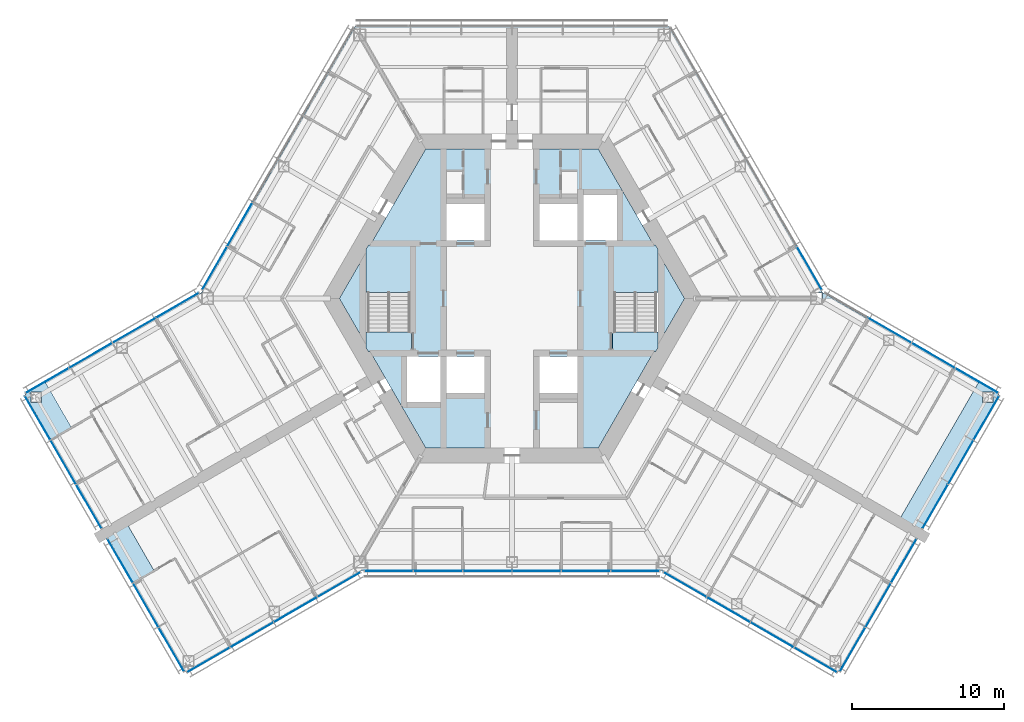
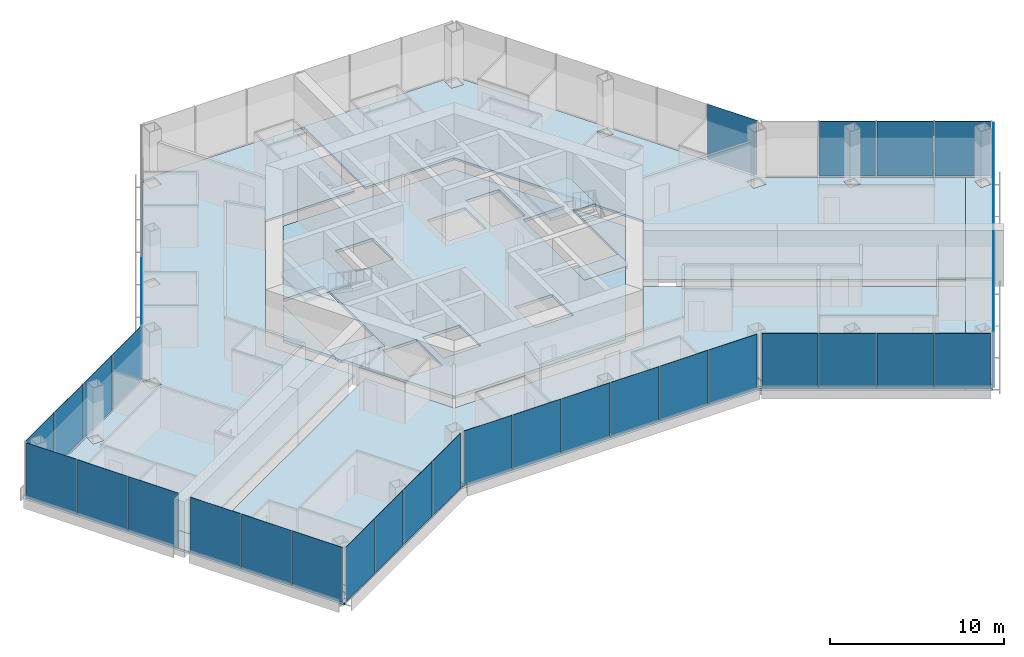
# One storey, part 10 of 19: 36 plates, 11 slabs, 13 elements without a shape of their own.
"""IFC4 building model written with IfcOpenShell, lengths in metres."""

from ifc_helpers import new_model, si_unit, direction, frame, origin, origin_2d, place, context, subcontext, project, spatial, polyline, rectangle, outline, extrude, material, layer, layer_set, type_object, element, aggregate, save


model = new_model("IFC4")

# Units and contexts
model_context = context("Model", 3, precision=1e-05, world=origin(), true_north=direction((0.0, 1.0)))
body_context = subcontext(model_context, "Body", "Model", "MODEL_VIEW")
ifc_project = project(units=[si_unit("LENGTHUNIT", "METRE"), si_unit("AREAUNIT", "SQUARE_METRE"), si_unit("VOLUMEUNIT", "CUBIC_METRE"), si_unit("PLANEANGLEUNIT", "RADIAN"), si_unit("MASSUNIT", "GRAM", prefix="KILO")], contexts=[model_context])

# Site, building, storey
site_placement = place(None, origin())
site = spatial("IfcSite", under=ifc_project, at=site_placement, CompositionType="ELEMENT")
building_placement = place(site_placement, origin())
building = spatial("IfcBuilding", under=site, at=building_placement, Name="Kasaneha Research Tower", CompositionType="ELEMENT")
storey_placement = place(building_placement, frame((0.0, 0.0, 160.39990234375)))
storey = spatial("IfcBuildingStorey", under=building, at=storey_placement, Name="L40", CompositionType="ELEMENT", Elevation=160.39990234375)

# Curtain wall, plates
ifc_material_1 = material(Name="Glass and aluminium", Category="aluminium")
curtain_wall_type = type_object("IfcCurtainWallType", Name="Mid-rise office curtain wall", PredefinedType="USERDEFINED", material=ifc_material_1)
curtain_wall_1_placement = place(storey_placement, origin())
curtain_wall_1 = element("IfcCurtainWall", 1, at=curtain_wall_1_placement, inside=storey, type_object=curtain_wall_type, Name="CW-O2 L40 run 01a", ObjectType="UNITISED CURTAIN WALL", PredefinedType="USERDEFINED")
ifc_material_2 = material(Name="Laminated double glazing", Category="glass")
ifc_layer_1 = layer(ifc_material_2, 0.02587890625)
ifc_layer_set_1 = layer_set([ifc_layer_1], Name="CW-O2 glazed panel")
plate_type = type_object("IfcPlateType", Name="CW-O2 glazed panel", PredefinedType="CURTAIN_PANEL", material=ifc_layer_set_1)
plate_1_placement = place(storey_placement, frame((-8.10107421875, -17.92041015625, 0.06005859375), z_axis=(0.0, 0.0, 1.0), x_axis=(1.0, 0.0, 0.0)))
plate_1 = element("IfcPlate", 2, at=plate_1_placement, type_object=plate_type, Name="CW-O2 panel 1", PredefinedType="CURTAIN_PANEL", context=body_context, shape_type="SweptSolid", body=[
    extrude(rectangle(XDim=3.156494140625, YDim=0.02587890625, at=origin_2d()), origin(), (0.0, 0.0, 1.0), 3.840087890625),
])
plate_2_placement = place(storey_placement, frame((-4.86962890625, -17.92041015625, 0.06005859375), z_axis=(0.0, 0.0, 1.0), x_axis=(1.0, 0.0, 0.0)))
plate_2 = element("IfcPlate", 3, at=plate_2_placement, type_object=plate_type, Name="CW-O2 panel 2", PredefinedType="CURTAIN_PANEL", context=body_context, shape_type="SweptSolid", body=[
    extrude(rectangle(XDim=3.1865234375, YDim=0.02587890625, at=origin_2d()), origin(), (0.0, 0.0, 1.0), 3.840087890625),
])
plate_3_placement = place(storey_placement, frame((-1.623291015625, -17.92041015625, 0.06005859375), z_axis=(0.0, 0.0, 1.0), x_axis=(1.0, 0.0, 0.0)))
plate_3 = element("IfcPlate", 4, at=plate_3_placement, type_object=plate_type, Name="CW-O2 panel 3", PredefinedType="CURTAIN_PANEL", context=body_context, shape_type="SweptSolid", body=[
    extrude(rectangle(XDim=3.1865234375, YDim=0.02587890625, at=origin_2d()), origin(), (0.0, 0.0, 1.0), 3.840087890625),
])
plate_4_placement = place(storey_placement, frame((1.623291015625, -17.92041015625, 0.06005859375), z_axis=(0.0, 0.0, 1.0), x_axis=(1.0, 0.0, 0.0)))
plate_4 = element("IfcPlate", 5, at=plate_4_placement, type_object=plate_type, Name="CW-O2 panel 4", PredefinedType="CURTAIN_PANEL", context=body_context, shape_type="SweptSolid", body=[
    extrude(rectangle(XDim=3.1865234375, YDim=0.02587890625, at=origin_2d()), origin(), (0.0, 0.0, 1.0), 3.840087890625),
])
plate_5_placement = place(storey_placement, frame((4.86962890625, -17.92041015625, 0.06005859375), z_axis=(0.0, 0.0, 1.0), x_axis=(1.0, 0.0, 0.0)))
plate_5 = element("IfcPlate", 6, at=plate_5_placement, type_object=plate_type, Name="CW-O2 panel 5", PredefinedType="CURTAIN_PANEL", context=body_context, shape_type="SweptSolid", body=[
    extrude(rectangle(XDim=3.1865234375, YDim=0.02587890625, at=origin_2d()), origin(), (0.0, 0.0, 1.0), 3.840087890625),
])
plate_6_placement = place(storey_placement, frame((8.10107421875, -17.92041015625, 0.06005859375), z_axis=(0.0, 0.0, 1.0), x_axis=(1.0, 0.0, 0.0)))
plate_6 = element("IfcPlate", 7, at=plate_6_placement, type_object=plate_type, Name="CW-O2 panel 6", PredefinedType="CURTAIN_PANEL", context=body_context, shape_type="SweptSolid", body=[
    extrude(rectangle(XDim=3.156494140625, YDim=0.02587890625, at=origin_2d()), origin(), (0.0, 0.0, 1.0), 3.840087890625),
])
aggregate(curtain_wall_1, [plate_1, plate_2, plate_3, plate_4, plate_5, plate_6])

curtain_wall_2_placement = place(storey_placement, origin())
curtain_wall_2 = element("IfcCurtainWall", 8, at=curtain_wall_2_placement, inside=storey, type_object=curtain_wall_type, Name="CW-O2 L40 run 02a", ObjectType="UNITISED CURTAIN WALL", PredefinedType="USERDEFINED")
plate_7_placement = place(storey_placement, frame((11.3720703125, -18.805419921875, 0.06005859375), z_axis=(0.0, 0.0, 1.0), x_axis=(0.866025411464, -0.499999986699, 0.0)))
plate_7 = element("IfcPlate", 9, at=plate_7_placement, type_object=plate_type, Name="CW-O2 panel 1", PredefinedType="CURTAIN_PANEL", context=body_context, shape_type="SweptSolid", body=[
    extrude(rectangle(XDim=3.2197265625, YDim=0.02587890625, at=origin_2d()), origin(), (0.0, 0.0, 1.0), 3.840087890625),
])
plate_8_placement = place(storey_placement, frame((14.225341796875, -20.452880859375, 0.06005859375), z_axis=(0.0, 0.0, 1.0), x_axis=(0.866025411464, -0.499999986699, 0.0)))
plate_8 = element("IfcPlate", 10, at=plate_8_placement, type_object=plate_type, Name="CW-O2 panel 2", PredefinedType="CURTAIN_PANEL", context=body_context, shape_type="SweptSolid", body=[
    extrude(rectangle(XDim=3.249755859375, YDim=0.02587890625, at=origin_2d()), origin(), (0.0, 0.0, 1.0), 3.840087890625),
])
plate_9_placement = place(storey_placement, frame((17.091796875, -22.107666015625, 0.06005859375), z_axis=(0.0, 0.0, 1.0), x_axis=(0.866025411464, -0.499999986699, 0.0)))
plate_9 = element("IfcPlate", 11, at=plate_9_placement, type_object=plate_type, Name="CW-O2 panel 3", PredefinedType="CURTAIN_PANEL", context=body_context, shape_type="SweptSolid", body=[
    extrude(rectangle(XDim=3.249755859375, YDim=0.02587890625, at=origin_2d()), origin(), (0.0, 0.0, 1.0), 3.840087890625),
])
plate_10_placement = place(storey_placement, frame((19.945068359375, -23.755126953125, 0.06005859375), z_axis=(0.0, 0.0, 1.0), x_axis=(0.866025411464, -0.499999986699, 0.0)))
plate_10 = element("IfcPlate", 12, at=plate_10_placement, type_object=plate_type, Name="CW-O2 panel 4", PredefinedType="CURTAIN_PANEL", context=body_context, shape_type="SweptSolid", body=[
    extrude(rectangle(XDim=3.2197265625, YDim=0.02587890625, at=origin_2d()), origin(), (0.0, 0.0, 1.0), 3.840087890625),
])
aggregate(curtain_wall_2, [plate_7, plate_8, plate_9, plate_10])

curtain_wall_3_placement = place(storey_placement, origin())
curtain_wall_3 = element("IfcCurtainWall", 13, at=curtain_wall_3_placement, inside=storey, type_object=curtain_wall_type, Name="CW-O2 L40 run 03a", ObjectType="UNITISED CURTAIN WALL", PredefinedType="USERDEFINED")
plate_11_placement = place(storey_placement, frame((22.38134765625, -23.075439453125, 0.06005859375), z_axis=(0.0, 0.0, 1.0), x_axis=(0.500000011442, 0.866025397178, 0.0)))
plate_11 = element("IfcPlate", 14, at=plate_11_placement, type_object=plate_type, Name="CW-O2 panel 1", PredefinedType="CURTAIN_PANEL", context=body_context, shape_type="SweptSolid", body=[
    extrude(rectangle(XDim=3.293212890625, YDim=0.02587890625, at=origin_2d()), origin(), (0.0, 0.0, 1.0), 3.840087890625),
])
plate_12_placement = place(storey_placement, frame((24.0654296875, -20.158447265625, 0.06005859375), z_axis=(0.0, 0.0, 1.0), x_axis=(0.500000011442, 0.866025397178, 0.0)))
plate_12 = element("IfcPlate", 15, at=plate_12_placement, type_object=plate_type, Name="CW-O2 panel 2", PredefinedType="CURTAIN_PANEL", context=body_context, shape_type="SweptSolid", body=[
    extrude(rectangle(XDim=3.3232421875, YDim=0.02587890625, at=origin_2d()), origin(), (0.0, 0.0, 1.0), 3.840087890625),
])
plate_13_placement = place(storey_placement, frame((25.74951171875, -17.241455078125, 0.06005859375), z_axis=(0.0, 0.0, 1.0), x_axis=(0.500000011442, 0.866025397178, 0.0)))
plate_13 = element("IfcPlate", 16, at=plate_13_placement, type_object=plate_type, Name="CW-O2 panel 3", PredefinedType="CURTAIN_PANEL", context=body_context, shape_type="SweptSolid", body=[
    extrude(rectangle(XDim=3.293212890625, YDim=0.02587890625, at=origin_2d()), origin(), (0.0, 0.0, 1.0), 3.840087890625),
])
aggregate(curtain_wall_3, [plate_11, plate_12, plate_13])

curtain_wall_4_placement = place(storey_placement, origin())
curtain_wall_4 = element("IfcCurtainWall", 17, at=curtain_wall_4_placement, inside=storey, type_object=curtain_wall_type, Name="CW-O2 L40 run 04a", ObjectType="UNITISED CURTAIN WALL", PredefinedType="USERDEFINED")
plate_14_placement = place(storey_placement, frame((27.806396484375, -13.67919921875, 0.06005859375), z_axis=(0.0, 0.0, 1.0), x_axis=(0.500000011442, 0.866025397178, 0.0)))
plate_14 = element("IfcPlate", 18, at=plate_14_placement, type_object=plate_type, Name="CW-O2 panel 1", PredefinedType="CURTAIN_PANEL", context=body_context, shape_type="SweptSolid", body=[
    extrude(rectangle(XDim=3.293212890625, YDim=0.02587890625, at=origin_2d()), origin(), (0.0, 0.0, 1.0), 3.840087890625),
])
plate_15_placement = place(storey_placement, frame((29.490478515625, -10.761962890625, 0.06005859375), z_axis=(0.0, 0.0, 1.0), x_axis=(0.500000011442, 0.866025397178, 0.0)))
plate_15 = element("IfcPlate", 19, at=plate_15_placement, type_object=plate_type, Name="CW-O2 panel 2", PredefinedType="CURTAIN_PANEL", context=body_context, shape_type="SweptSolid", body=[
    extrude(rectangle(XDim=3.3232421875, YDim=0.02587890625, at=origin_2d()), origin(), (0.0, 0.0, 1.0), 3.840087890625),
])
plate_16_placement = place(storey_placement, frame((31.174560546875, -7.844970703125, 0.06005859375), z_axis=(0.0, 0.0, 1.0), x_axis=(0.500000011442, 0.866025397178, 0.0)))
plate_16 = element("IfcPlate", 20, at=plate_16_placement, type_object=plate_type, Name="CW-O2 panel 3", PredefinedType="CURTAIN_PANEL", context=body_context, shape_type="SweptSolid", body=[
    extrude(rectangle(XDim=3.293212890625, YDim=0.02587890625, at=origin_2d()), origin(), (0.0, 0.0, 1.0), 3.840087890625),
])
aggregate(curtain_wall_4, [plate_14, plate_15, plate_16])

curtain_wall_5_placement = place(storey_placement, origin())
curtain_wall_5 = element("IfcCurtainWall", 21, at=curtain_wall_5_placement, inside=storey, type_object=curtain_wall_type, Name="CW-O2 L40 run 05a", ObjectType="UNITISED CURTAIN WALL", PredefinedType="USERDEFINED")
plate_17_placement = place(storey_placement, frame((30.545166015625, -5.3955078125, 0.06005859375), z_axis=(0.0, 0.0, 1.0), x_axis=(-0.866025411464, 0.499999986699, 0.0)))
plate_17 = element("IfcPlate", 22, at=plate_17_placement, type_object=plate_type, Name="CW-O2 panel 1", PredefinedType="CURTAIN_PANEL", context=body_context, shape_type="SweptSolid", body=[
    extrude(rectangle(XDim=3.2197265625, YDim=0.02587890625, at=origin_2d()), origin(), (0.0, 0.0, 1.0), 3.840087890625),
])
plate_18_placement = place(storey_placement, frame((27.69189453125, -3.748046875, 0.06005859375), z_axis=(0.0, 0.0, 1.0), x_axis=(-0.866025411464, 0.499999986699, 0.0)))
plate_18 = element("IfcPlate", 23, at=plate_18_placement, type_object=plate_type, Name="CW-O2 panel 2", PredefinedType="CURTAIN_PANEL", context=body_context, shape_type="SweptSolid", body=[
    extrude(rectangle(XDim=3.249755859375, YDim=0.02587890625, at=origin_2d()), origin(), (0.0, 0.0, 1.0), 3.840087890625),
])
plate_19_placement = place(storey_placement, frame((24.825439453125, -2.093017578125, 0.06005859375), z_axis=(0.0, 0.0, 1.0), x_axis=(-0.866025411464, 0.499999986699, 0.0)))
plate_19 = element("IfcPlate", 24, at=plate_19_placement, type_object=plate_type, Name="CW-O2 panel 3", PredefinedType="CURTAIN_PANEL", context=body_context, shape_type="SweptSolid", body=[
    extrude(rectangle(XDim=3.249755859375, YDim=0.02587890625, at=origin_2d()), origin(), (0.0, 0.0, 1.0), 3.840087890625),
])
aggregate(curtain_wall_5, [plate_17, plate_18, plate_19])

# Curtain wall, plate
curtain_wall_6_placement = place(storey_placement, origin())
curtain_wall_6 = element("IfcCurtainWall", 25, at=curtain_wall_6_placement, inside=storey, type_object=curtain_wall_type, Name="CW-O2 L40 run 06a", ObjectType="UNITISED CURTAIN WALL", PredefinedType="USERDEFINED")
plate_20_placement = place(storey_placement, frame((19.549072265625, 1.981201171875, 0.06005859375), z_axis=(0.0, 0.0, 1.0), x_axis=(-0.499999979232, 0.866025415775, 0.0)))
plate_20 = element("IfcPlate", 26, at=plate_20_placement, type_object=plate_type, Name="CW-O2 panel 1", PredefinedType="CURTAIN_PANEL", context=body_context, shape_type="SweptSolid", body=[
    extrude(rectangle(XDim=3.240966796875, YDim=0.02587890625, at=origin_2d()), origin(), (0.0, 0.0, 1.0), 3.840087890625),
])
aggregate(curtain_wall_6, [plate_20])

# Curtain wall, plates
curtain_wall_7_placement = place(storey_placement, origin())
curtain_wall_7 = element("IfcCurtainWall", 27, at=curtain_wall_7_placement, inside=storey, type_object=curtain_wall_type, Name="CW-O2 L40 run 08a", ObjectType="UNITISED CURTAIN WALL", PredefinedType="USERDEFINED")
plate_21_placement = place(storey_placement, frame((-17.89111328125, 4.852783203125, 0.06005859375), z_axis=(0.0, 0.0, 1.0), x_axis=(-0.499999979232, -0.866025415775, 0.0)))
plate_21 = element("IfcPlate", 28, at=plate_21_placement, type_object=plate_type, Name="CW-O2 panel 5", PredefinedType="CURTAIN_PANEL", context=body_context, shape_type="SweptSolid", body=[
    extrude(rectangle(XDim=3.27099609375, YDim=0.02587890625, at=origin_2d()), origin(), (0.0, 0.0, 1.0), 3.840087890625),
])
plate_22_placement = place(storey_placement, frame((-19.549072265625, 1.981201171875, 0.06005859375), z_axis=(0.0, 0.0, 1.0), x_axis=(-0.499999979232, -0.866025415775, 0.0)))
plate_22 = element("IfcPlate", 29, at=plate_22_placement, type_object=plate_type, Name="CW-O2 panel 6", PredefinedType="CURTAIN_PANEL", context=body_context, shape_type="SweptSolid", body=[
    extrude(rectangle(XDim=3.240966796875, YDim=0.02587890625, at=origin_2d()), origin(), (0.0, 0.0, 1.0), 3.840087890625),
])
aggregate(curtain_wall_7, [plate_21, plate_22])

curtain_wall_8_placement = place(storey_placement, origin())
curtain_wall_8 = element("IfcCurtainWall", 30, at=curtain_wall_8_placement, inside=storey, type_object=curtain_wall_type, Name="CW-O2 L40 run 09a", ObjectType="UNITISED CURTAIN WALL", PredefinedType="USERDEFINED")
plate_23_placement = place(storey_placement, frame((-21.971923828125, -0.44580078125, 0.06005859375), z_axis=(0.0, 0.0, 1.0), x_axis=(-0.866025411464, -0.499999986699, 0.0)))
plate_23 = element("IfcPlate", 31, at=plate_23_placement, type_object=plate_type, Name="CW-O2 panel 1", PredefinedType="CURTAIN_PANEL", context=body_context, shape_type="SweptSolid", body=[
    extrude(rectangle(XDim=3.2197265625, YDim=0.02587890625, at=origin_2d()), origin(), (0.0, 0.0, 1.0), 3.840087890625),
])
plate_24_placement = place(storey_placement, frame((-24.825439453125, -2.093017578125, 0.06005859375), z_axis=(0.0, 0.0, 1.0), x_axis=(-0.866025411464, -0.499999986699, 0.0)))
plate_24 = element("IfcPlate", 32, at=plate_24_placement, type_object=plate_type, Name="CW-O2 panel 2", PredefinedType="CURTAIN_PANEL", context=body_context, shape_type="SweptSolid", body=[
    extrude(rectangle(XDim=3.249755859375, YDim=0.02587890625, at=origin_2d()), origin(), (0.0, 0.0, 1.0), 3.840087890625),
])
plate_25_placement = place(storey_placement, frame((-27.69189453125, -3.748046875, 0.06005859375), z_axis=(0.0, 0.0, 1.0), x_axis=(-0.866025411464, -0.499999986699, 0.0)))
plate_25 = element("IfcPlate", 33, at=plate_25_placement, type_object=plate_type, Name="CW-O2 panel 3", PredefinedType="CURTAIN_PANEL", context=body_context, shape_type="SweptSolid", body=[
    extrude(rectangle(XDim=3.249755859375, YDim=0.02587890625, at=origin_2d()), origin(), (0.0, 0.0, 1.0), 3.840087890625),
])
plate_26_placement = place(storey_placement, frame((-30.545166015625, -5.3955078125, 0.06005859375), z_axis=(0.0, 0.0, 1.0), x_axis=(-0.866025411464, -0.499999986699, 0.0)))
plate_26 = element("IfcPlate", 34, at=plate_26_placement, type_object=plate_type, Name="CW-O2 panel 4", PredefinedType="CURTAIN_PANEL", context=body_context, shape_type="SweptSolid", body=[
    extrude(rectangle(XDim=3.2197265625, YDim=0.02587890625, at=origin_2d()), origin(), (0.0, 0.0, 1.0), 3.840087890625),
])
aggregate(curtain_wall_8, [plate_23, plate_24, plate_25, plate_26])

curtain_wall_9_placement = place(storey_placement, origin())
curtain_wall_9 = element("IfcCurtainWall", 35, at=curtain_wall_9_placement, inside=storey, type_object=curtain_wall_type, Name="CW-O2 L40 run 10a", ObjectType="UNITISED CURTAIN WALL", PredefinedType="USERDEFINED")
plate_27_placement = place(storey_placement, frame((-31.174560546875, -7.844970703125, 0.06005859375), z_axis=(0.0, 0.0, 1.0), x_axis=(0.500000011442, -0.866025397178, 0.0)))
plate_27 = element("IfcPlate", 36, at=plate_27_placement, type_object=plate_type, Name="CW-O2 panel 1", PredefinedType="CURTAIN_PANEL", context=body_context, shape_type="SweptSolid", body=[
    extrude(rectangle(XDim=3.293212890625, YDim=0.02587890625, at=origin_2d()), origin(), (0.0, 0.0, 1.0), 3.840087890625),
])
plate_28_placement = place(storey_placement, frame((-29.490478515625, -10.761962890625, 0.06005859375), z_axis=(0.0, 0.0, 1.0), x_axis=(0.500000011442, -0.866025397178, 0.0)))
plate_28 = element("IfcPlate", 37, at=plate_28_placement, type_object=plate_type, Name="CW-O2 panel 2", PredefinedType="CURTAIN_PANEL", context=body_context, shape_type="SweptSolid", body=[
    extrude(rectangle(XDim=3.3232421875, YDim=0.02587890625, at=origin_2d()), origin(), (0.0, 0.0, 1.0), 3.840087890625),
])
plate_29_placement = place(storey_placement, frame((-27.806396484375, -13.67919921875, 0.06005859375), z_axis=(0.0, 0.0, 1.0), x_axis=(0.500000011442, -0.866025397178, 0.0)))
plate_29 = element("IfcPlate", 38, at=plate_29_placement, type_object=plate_type, Name="CW-O2 panel 3", PredefinedType="CURTAIN_PANEL", context=body_context, shape_type="SweptSolid", body=[
    extrude(rectangle(XDim=3.293212890625, YDim=0.02587890625, at=origin_2d()), origin(), (0.0, 0.0, 1.0), 3.840087890625),
])
aggregate(curtain_wall_9, [plate_27, plate_28, plate_29])

curtain_wall_10_placement = place(storey_placement, origin())
curtain_wall_10 = element("IfcCurtainWall", 39, at=curtain_wall_10_placement, inside=storey, type_object=curtain_wall_type, Name="CW-O2 L40 run 11a", ObjectType="UNITISED CURTAIN WALL", PredefinedType="USERDEFINED")
plate_30_placement = place(storey_placement, frame((-25.74951171875, -17.241455078125, 0.06005859375), z_axis=(0.0, 0.0, 1.0), x_axis=(0.500000011442, -0.866025397178, 0.0)))
plate_30 = element("IfcPlate", 40, at=plate_30_placement, type_object=plate_type, Name="CW-O2 panel 1", PredefinedType="CURTAIN_PANEL", context=body_context, shape_type="SweptSolid", body=[
    extrude(rectangle(XDim=3.293212890625, YDim=0.02587890625, at=origin_2d()), origin(), (0.0, 0.0, 1.0), 3.840087890625),
])
plate_31_placement = place(storey_placement, frame((-24.0654296875, -20.158447265625, 0.06005859375), z_axis=(0.0, 0.0, 1.0), x_axis=(0.500000011442, -0.866025397178, 0.0)))
plate_31 = element("IfcPlate", 41, at=plate_31_placement, type_object=plate_type, Name="CW-O2 panel 2", PredefinedType="CURTAIN_PANEL", context=body_context, shape_type="SweptSolid", body=[
    extrude(rectangle(XDim=3.3232421875, YDim=0.02587890625, at=origin_2d()), origin(), (0.0, 0.0, 1.0), 3.840087890625),
])
plate_32_placement = place(storey_placement, frame((-22.38134765625, -23.075439453125, 0.06005859375), z_axis=(0.0, 0.0, 1.0), x_axis=(0.500000011442, -0.866025397178, 0.0)))
plate_32 = element("IfcPlate", 42, at=plate_32_placement, type_object=plate_type, Name="CW-O2 panel 3", PredefinedType="CURTAIN_PANEL", context=body_context, shape_type="SweptSolid", body=[
    extrude(rectangle(XDim=3.293212890625, YDim=0.02587890625, at=origin_2d()), origin(), (0.0, 0.0, 1.0), 3.840087890625),
])
aggregate(curtain_wall_10, [plate_30, plate_31, plate_32])

curtain_wall_11_placement = place(storey_placement, origin())
curtain_wall_11 = element("IfcCurtainWall", 43, at=curtain_wall_11_placement, inside=storey, type_object=curtain_wall_type, Name="CW-O2 L40 run 12a", ObjectType="UNITISED CURTAIN WALL", PredefinedType="USERDEFINED")
plate_33_placement = place(storey_placement, frame((-19.945068359375, -23.755126953125, 0.06005859375), z_axis=(0.0, 0.0, 1.0), x_axis=(0.866025411464, 0.499999986699, 0.0)))
plate_33 = element("IfcPlate", 44, at=plate_33_placement, type_object=plate_type, Name="CW-O2 panel 1", PredefinedType="CURTAIN_PANEL", context=body_context, shape_type="SweptSolid", body=[
    extrude(rectangle(XDim=3.2197265625, YDim=0.02587890625, at=origin_2d()), origin(), (0.0, 0.0, 1.0), 3.840087890625),
])
plate_34_placement = place(storey_placement, frame((-17.091796875, -22.107666015625, 0.06005859375), z_axis=(0.0, 0.0, 1.0), x_axis=(0.866025411464, 0.499999986699, 0.0)))
plate_34 = element("IfcPlate", 45, at=plate_34_placement, type_object=plate_type, Name="CW-O2 panel 2", PredefinedType="CURTAIN_PANEL", context=body_context, shape_type="SweptSolid", body=[
    extrude(rectangle(XDim=3.249755859375, YDim=0.02587890625, at=origin_2d()), origin(), (0.0, 0.0, 1.0), 3.840087890625),
])
plate_35_placement = place(storey_placement, frame((-14.225341796875, -20.452880859375, 0.06005859375), z_axis=(0.0, 0.0, 1.0), x_axis=(0.866025411464, 0.499999986699, 0.0)))
plate_35 = element("IfcPlate", 46, at=plate_35_placement, type_object=plate_type, Name="CW-O2 panel 3", PredefinedType="CURTAIN_PANEL", context=body_context, shape_type="SweptSolid", body=[
    extrude(rectangle(XDim=3.249755859375, YDim=0.02587890625, at=origin_2d()), origin(), (0.0, 0.0, 1.0), 3.840087890625),
])
plate_36_placement = place(storey_placement, frame((-11.3720703125, -18.805419921875, 0.06005859375), z_axis=(0.0, 0.0, 1.0), x_axis=(0.866025411464, 0.499999986699, 0.0)))
plate_36 = element("IfcPlate", 47, at=plate_36_placement, type_object=plate_type, Name="CW-O2 panel 4", PredefinedType="CURTAIN_PANEL", context=body_context, shape_type="SweptSolid", body=[
    extrude(rectangle(XDim=3.2197265625, YDim=0.02587890625, at=origin_2d()), origin(), (0.0, 0.0, 1.0), 3.840087890625),
])
aggregate(curtain_wall_11, [plate_33, plate_34, plate_35, plate_36])

# Slabs
ifc_material_3 = material(Name="Concrete Fc24", Category="concrete")
ifc_layer_2 = layer(ifc_material_3, 0.199951171875)
ifc_layer_set_2 = layer_set([ifc_layer_2], Name="Core floor slab 200")
slab_type_1 = type_object("IfcSlabType", Name="Core floor slab 200", PredefinedType="FLOOR", material=ifc_layer_set_2)
slab_1_placement = place(storey_placement, frame((0.0, 0.0, -0.199951171875)))
element("IfcSlab", 48, at=slab_1_placement, inside=storey, type_object=slab_type_1, Name="Core slab L40", PredefinedType="FLOOR", context=body_context, shape_type="SweptSolid", body=[
    extrude(outline(polyline([(-11.344970703125, 0.0), (-9.60009765625, 3.022216796875), (-9.60009765625, -3.022216796875), (-11.344970703125, 0.0)])), origin(), (0.0, 0.0, 1.0), 0.199951171875),
])
slab_2_placement = place(storey_placement, frame((0.0, 0.0, -0.199951171875)))
element("IfcSlab", 49, at=slab_2_placement, inside=storey, type_object=slab_type_1, Name="Core slab L40", PredefinedType="FLOOR", context=body_context, shape_type="SweptSolid", body=[
    extrude(outline(polyline([(-5.67236328125, 9.824951171875), (5.67236328125, 9.824951171875), (9.32421875, 3.5), (6.60009765625, 3.5), (6.60009765625, -3.5), (9.32421875, -3.5), (5.67236328125, -9.824951171875), (-5.67236328125, -9.824951171875), (-9.32421875, -3.5), (-6.60009765625, -3.5), (-6.60009765625, 3.5), (-9.32421875, 3.5), (-5.67236328125, 9.824951171875)]), holes=[polyline([(-6.89990234375, -3.800048828125), (-6.89990234375, -6.800048828125), (-4.699951171875, -6.800048828125), (-4.699951171875, -3.800048828125), (-6.89990234375, -3.800048828125)]), polyline([(-4.300048828125, -3.800048828125), (-4.300048828125, -6.199951171875), (-1.800048828125, -6.199951171875), (-1.800048828125, -3.800048828125), (-4.300048828125, -3.800048828125)]), polyline([(1.800048828125, -3.800048828125), (1.800048828125, -6.199951171875), (4.300048828125, -6.199951171875), (4.300048828125, -3.800048828125), (1.800048828125, -3.800048828125)]), polyline([(-4.300048828125, 6.199951171875), (-4.300048828125, 3.800048828125), (-1.800048828125, 3.800048828125), (-1.800048828125, 6.199951171875), (-4.300048828125, 6.199951171875)]), polyline([(1.800048828125, 6.199951171875), (1.800048828125, 3.800048828125), (4.300048828125, 3.800048828125), (4.300048828125, 6.199951171875), (1.800048828125, 6.199951171875)]), polyline([(4.699951171875, 6.800048828125), (4.699951171875, 3.800048828125), (6.89990234375, 3.800048828125), (6.89990234375, 6.800048828125), (4.699951171875, 6.800048828125)])]), origin(), (0.0, 0.0, 1.0), 0.199951171875),
])
slab_3_placement = place(storey_placement, frame((0.0, 0.0, -0.199951171875)))
element("IfcSlab", 50, at=slab_3_placement, inside=storey, type_object=slab_type_1, Name="Core slab L40", PredefinedType="FLOOR", context=body_context, shape_type="SweptSolid", body=[
    extrude(outline(polyline([(11.344970703125, 0.0), (9.60009765625, -3.022216796875), (9.60009765625, 3.022216796875), (11.344970703125, 0.0)])), origin(), (0.0, 0.0, 1.0), 0.199951171875),
])
ifc_material_4 = material(Name="Concrete Fc24", Category="concrete")
ifc_layer_3 = layer(ifc_material_4, 0.14990234375)
ifc_layer_set_3 = layer_set([ifc_layer_3], Name="Floor slab 150")
slab_type_2 = type_object("IfcSlabType", Name="Floor slab 150", PredefinedType="FLOOR", material=ifc_layer_set_3)
slab_4_placement = place(storey_placement, frame((0.0, 0.0, -0.14990234375)))
element("IfcSlab", 51, at=slab_4_placement, inside=storey, type_object=slab_type_2, Name="Floor slab L40 1", PredefinedType="FLOOR", context=body_context, shape_type="SweptSolid", body=[
    extrude(outline(polyline([(-32.009521484375, -6.298583984375), (-30.65869140625, -5.518798828125), (-25.55859375, -14.35205078125), (-25.5673828125, -14.357177734375), (-25.21728515625, -14.96337890625), (-25.208740234375, -14.958251953125), (-20.108642578125, -23.791748046875), (-21.459716796875, -24.57177734375), (-32.009521484375, -6.298583984375)]), holes=[polyline([(-20.908447265625, -24.17041015625), (-20.908447265625, -23.470458984375), (-21.6083984375, -23.470458984375), (-21.6083984375, -24.17041015625), (-20.908447265625, -24.17041015625)]), polyline([(-30.908447265625, -6.85009765625), (-30.908447265625, -6.14990234375), (-31.6083984375, -6.14990234375), (-31.6083984375, -6.85009765625), (-30.908447265625, -6.85009765625)])]), origin(), (0.0, 0.0, 1.0), 0.14990234375),
])
slab_5_placement = place(storey_placement, frame((0.0, 0.0, -0.14990234375)))
element("IfcSlab", 52, at=slab_5_placement, inside=storey, type_object=slab_type_2, Name="Floor slab L40 2", PredefinedType="FLOOR", context=body_context, shape_type="SweptSolid", body=[
    extrude(outline(polyline([(9.8525390625, -17.87060546875), (-9.8525390625, -17.87060546875), (-20.108642578125, -23.791748046875), (-25.208740234375, -14.958251953125), (-9.19970703125, -5.715576171875), (-6.249755859375, -10.824951171875), (6.249755859375, -10.824951171875), (9.19970703125, -5.715576171875), (25.208740234375, -14.958251953125), (20.108642578125, -23.791748046875), (9.8525390625, -17.87060546875)]), holes=[polyline([(-15.279052734375, -20.92041015625), (-15.279052734375, -20.220458984375), (-15.979248046875, -20.220458984375), (-15.979248046875, -20.92041015625), (-15.279052734375, -20.92041015625)]), polyline([(0.35009765625, -17.67041015625), (0.35009765625, -16.970458984375), (-0.35009765625, -16.970458984375), (-0.35009765625, -17.67041015625), (0.35009765625, -17.67041015625)]), polyline([(-10.39990234375, -17.720458984375), (-9.60009765625, -17.720458984375), (-9.60009765625, -16.92041015625), (-10.39990234375, -16.92041015625), (-10.39990234375, -17.720458984375)]), polyline([(15.113037109375, -20.42041015625), (15.113037109375, -19.720458984375), (14.4130859375, -19.720458984375), (14.4130859375, -20.42041015625), (15.113037109375, -20.42041015625)]), polyline([(9.60009765625, -17.720458984375), (10.39990234375, -17.720458984375), (10.39990234375, -16.92041015625), (9.60009765625, -16.92041015625), (9.60009765625, -17.720458984375)])]), origin(), (0.0, 0.0, 1.0), 0.14990234375),
])
slab_6_placement = place(storey_placement, frame((0.0, 0.0, -0.14990234375)))
element("IfcSlab", 53, at=slab_6_placement, inside=storey, type_object=slab_type_2, Name="Floor slab L40 3", PredefinedType="FLOOR", context=body_context, shape_type="SweptSolid", body=[
    extrude(outline(polyline([(-20.400146484375, -0.400146484375), (-19.599853515625, -0.400146484375), (-19.599853515625, 0.400146484375), (-20.385986328125, 0.400146484375), (-20.3974609375, 0.41162109375), (-10.40771484375, 17.714111328125), (-10.400146484375, 17.70654296875), (-10.400146484375, 16.92041015625), (-9.599853515625, 16.92041015625), (-9.599853515625, 17.720703125), (-10.385986328125, 17.720703125), (-10.3974609375, 17.732177734375), (-10.317626953125, 17.87060546875), (10.317626953125, 17.87060546875), (10.3974609375, 17.732177734375), (10.385986328125, 17.720703125), (9.599853515625, 17.720703125), (9.599853515625, 16.92041015625), (10.400146484375, 16.92041015625), (10.400146484375, 17.70654296875), (10.40771484375, 17.714111328125), (20.3974609375, 0.41162109375), (20.385986328125, 0.400146484375), (19.599853515625, 0.400146484375), (19.599853515625, -0.400146484375), (20.400146484375, -0.400146484375), (20.400146484375, 0.385986328125), (20.41162109375, 0.3974609375), (30.65869140625, -5.518798828125), (25.55859375, -14.35205078125), (9.5498046875, -5.109375), (12.49951171875, 0.0), (6.249755859375, 10.824951171875), (0.35009765625, 10.824951171875), (0.35009765625, 17.7705078125), (-0.35009765625, 17.7705078125), (-0.35009765625, 10.824951171875), (-6.249755859375, 10.824951171875), (-12.49951171875, 0.0), (-9.5498046875, -5.109375), (-25.55859375, -14.35205078125), (-30.65869140625, -5.518798828125), (-20.41162109375, 0.3974609375), (-20.400146484375, 0.385986328125), (-20.400146484375, -0.400146484375)]), holes=[polyline([(-25.279052734375, -3.60009765625), (-25.279052734375, -2.89990234375), (-25.979248046875, -2.89990234375), (-25.979248046875, -3.60009765625), (-25.279052734375, -3.60009765625)]), polyline([(-15.35009765625, 8.310302734375), (-14.64990234375, 8.310302734375), (-14.64990234375, 9.01025390625), (-15.35009765625, 9.01025390625), (-15.35009765625, 8.310302734375)]), polyline([(24.4130859375, -3.10009765625), (25.113037109375, -3.10009765625), (25.113037109375, -2.39990234375), (24.4130859375, -2.39990234375), (24.4130859375, -3.10009765625)]), polyline([(14.64990234375, 8.310302734375), (15.35009765625, 8.310302734375), (15.35009765625, 9.01025390625), (14.64990234375, 9.01025390625), (14.64990234375, 8.310302734375)])]), origin(), (0.0, 0.0, 1.0), 0.14990234375),
])
slab_7_placement = place(storey_placement, frame((0.0, 0.0, -0.14990234375)))
element("IfcSlab", 54, at=slab_7_placement, inside=storey, type_object=slab_type_2, Name="Floor slab L40 4", PredefinedType="FLOOR", context=body_context, shape_type="SweptSolid", body=[
    extrude(outline(polyline([(32.009521484375, -6.298583984375), (21.459716796875, -24.57177734375), (20.108642578125, -23.791748046875), (25.208740234375, -14.958251953125), (25.21728515625, -14.96337890625), (25.5673828125, -14.357177734375), (25.55859375, -14.35205078125), (30.65869140625, -5.518798828125), (32.009521484375, -6.298583984375)]), holes=[polyline([(21.6083984375, -24.17041015625), (21.6083984375, -23.470458984375), (20.908447265625, -23.470458984375), (20.908447265625, -24.17041015625), (21.6083984375, -24.17041015625)]), polyline([(31.6083984375, -6.85009765625), (31.6083984375, -6.14990234375), (30.908447265625, -6.14990234375), (30.908447265625, -6.85009765625), (31.6083984375, -6.85009765625)])]), origin(), (0.0, 0.0, 1.0), 0.14990234375),
])

# Stair, slabs
ifc_material_5 = material(Name="Concrete Fc24", Category="concrete")
stair_type = type_object("IfcStairType", Name="Half-turn stair 22 risers", PredefinedType="HALF_TURN_STAIR", material=ifc_material_5)
stair_1_placement = place(storey_placement, origin())
stair_1 = element("IfcStair", 55, at=stair_1_placement, inside=storey, type_object=stair_type, Name="Stair 1 L40", PredefinedType="HALF_TURN_STAIR")
ifc_material_6 = material(Name="Concrete Fc24", Category="concrete")
ifc_layer_4 = layer(ifc_material_6, 0.199951171875)
ifc_layer_set_4 = layer_set([ifc_layer_4], Name="Stair 1 landing 200")
slab_type_3 = type_object("IfcSlabType", Name="Stair 1 landing 200", PredefinedType="LANDING", material=ifc_layer_set_4)
slab_8_placement = place(storey_placement, frame((0.0, 0.0, -0.199951171875)))
slab_8 = element("IfcSlab", 56, at=slab_8_placement, type_object=slab_type_3, Name="ST1-22R landing 1", PredefinedType="LANDING", context=body_context, shape_type="SweptSolid", body=[
    extrude(outline(polyline([(9.439697265625, -3.5), (6.60009765625, -3.5), (6.60009765625, -2.199951171875), (9.60009765625, -2.199951171875), (9.60009765625, -3.222412109375), (9.439697265625, -3.5)])), origin(), (0.0, 0.0, 1.0), 0.199951171875),
])
slab_9_placement = place(storey_placement, frame((0.0, 0.0, 1.75)))
slab_9 = element("IfcSlab", 57, at=slab_9_placement, type_object=slab_type_3, Name="ST1-22R landing 2", PredefinedType="LANDING", context=body_context, shape_type="SweptSolid", body=[
    extrude(outline(polyline([(6.60009765625, 3.5), (9.439697265625, 3.5), (9.60009765625, 3.222412109375), (9.60009765625, 0.39990234375), (6.60009765625, 0.39990234375), (6.60009765625, 3.5)])), origin(), (0.0, 0.0, 1.0), 0.2001953125),
])
aggregate(stair_1, [slab_8, slab_9])

stair_2_placement = place(storey_placement, origin())
stair_2 = element("IfcStair", 58, at=stair_2_placement, inside=storey, type_object=stair_type, Name="Stair 2 L40", PredefinedType="HALF_TURN_STAIR")
ifc_material_7 = material(Name="Concrete Fc24", Category="concrete")
ifc_layer_5 = layer(ifc_material_7, 0.199951171875)
ifc_layer_set_5 = layer_set([ifc_layer_5], Name="Stair 2 landing 200")
slab_type_4 = type_object("IfcSlabType", Name="Stair 2 landing 200", PredefinedType="LANDING", material=ifc_layer_set_5)
slab_10_placement = place(storey_placement, frame((0.0, 0.0, -0.199951171875)))
slab_10 = element("IfcSlab", 59, at=slab_10_placement, type_object=slab_type_4, Name="ST2-22R landing 1", PredefinedType="LANDING", context=body_context, shape_type="SweptSolid", body=[
    extrude(outline(polyline([(-6.60009765625, -3.5), (-9.439697265625, -3.5), (-9.60009765625, -3.222412109375), (-9.60009765625, -2.199951171875), (-6.60009765625, -2.199951171875), (-6.60009765625, -3.5)])), origin(), (0.0, 0.0, 1.0), 0.199951171875),
])
slab_11_placement = place(storey_placement, frame((0.0, 0.0, 1.75)))
slab_11 = element("IfcSlab", 60, at=slab_11_placement, type_object=slab_type_4, Name="ST2-22R landing 2", PredefinedType="LANDING", context=body_context, shape_type="SweptSolid", body=[
    extrude(outline(polyline([(-6.60009765625, 0.39990234375), (-9.60009765625, 0.39990234375), (-9.60009765625, 3.222412109375), (-9.439697265625, 3.5), (-6.60009765625, 3.5), (-6.60009765625, 0.39990234375)])), origin(), (0.0, 0.0, 1.0), 0.2001953125),
])
aggregate(stair_2, [slab_10, slab_11])

save(model, "model.ifc")
